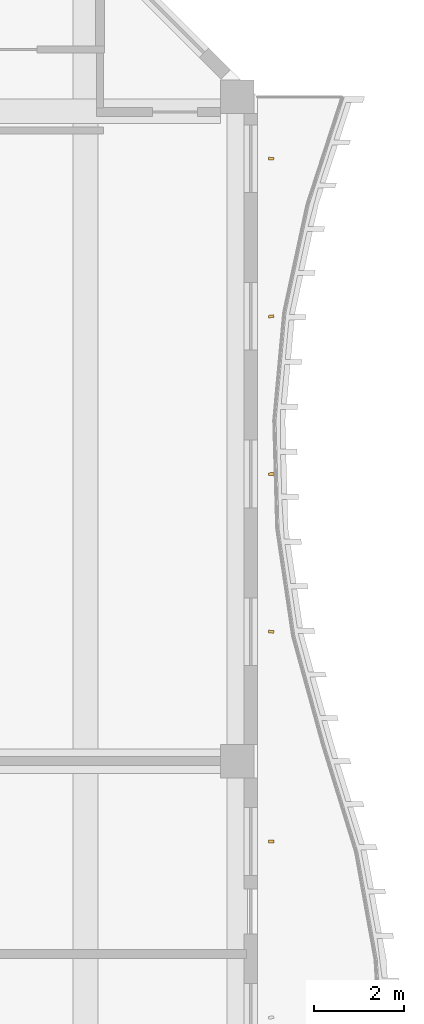
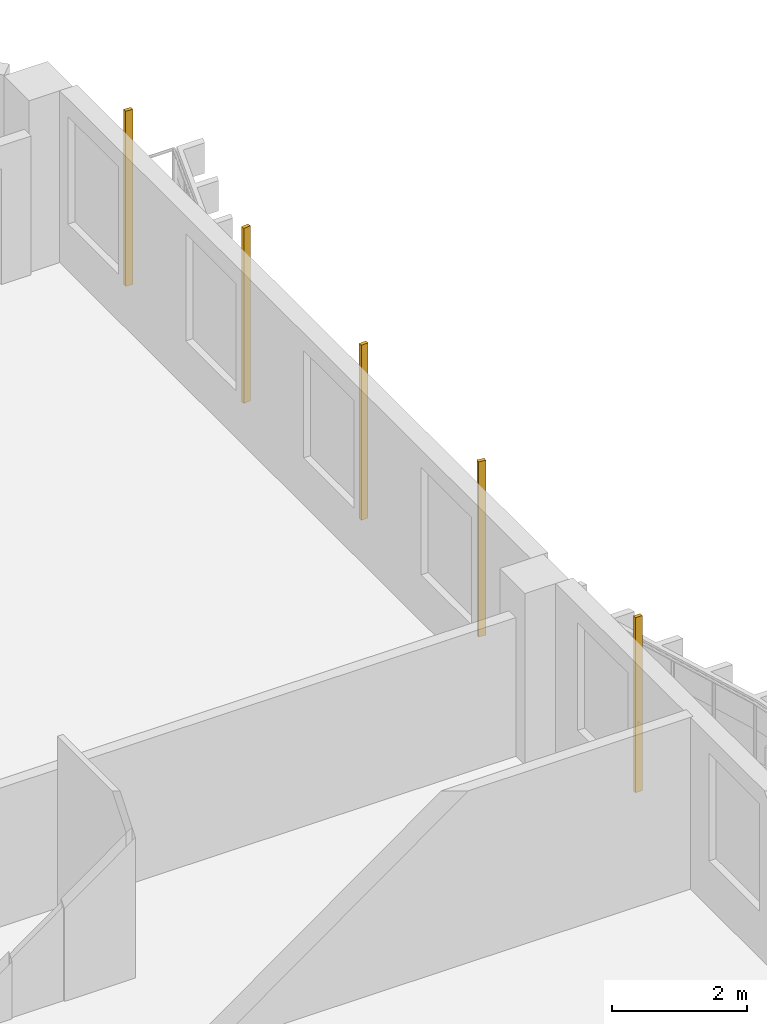
# One storey, part 23 of 23: 5 shading devices.
"""IFC4 building model written with IfcOpenShell, lengths in metres."""

from ifc_helpers import new_model, si_unit, direction, frame, origin, origin_2d, place, context, subcontext, project, spatial, rectangle, extrude, source, transform, mapped, material, material_profile, profile_set, type_object, element, save


model = new_model("IFC4")

# Units and contexts
model_context = context("Model", 3, precision=1e-05, world=origin(), true_north=direction((0.0, 1.0)))
body_context = subcontext(model_context, "Body", "Model", "MODEL_VIEW")
ifc_project = project(units=[si_unit("LENGTHUNIT", "METRE"), si_unit("AREAUNIT", "SQUARE_METRE"), si_unit("VOLUMEUNIT", "CUBIC_METRE"), si_unit("PLANEANGLEUNIT", "RADIAN"), si_unit("MASSUNIT", "GRAM", prefix="KILO")], contexts=[model_context])

# Site, building, storey
site_placement = place(None, origin())
site = spatial("IfcSite", under=ifc_project, at=site_placement, CompositionType="ELEMENT")
building_placement = place(site_placement, origin())
building = spatial("IfcBuilding", under=site, at=building_placement, Name="Kilnfold Tower and Market Hall", CompositionType="ELEMENT")
storey_placement = place(building_placement, frame((0.0, 0.0, 203.300048828125)))
storey = spatial("IfcBuildingStorey", under=building, at=storey_placement, Name="L49", CompositionType="ELEMENT", Elevation=203.300048828125)

# Shading devices
ifc_material = material(Name="Terracotta", Category="masonry")
ifc_material_profile = material_profile(ifc_material, rectangle(XDim=0.06005859375, YDim=0.1201171875, at=origin_2d()), Name="BAG 60x120")
ifc_profile_set = profile_set([ifc_material_profile], Name="Terracotta")
shading_device_type = type_object("IfcShadingDeviceType", Name="BAGUETTE", PredefinedType="USERDEFINED", material=ifc_profile_set)
shared_shape = source(origin(), body_context, "Body", "SweptSolid", [
    extrude(rectangle(XDim=0.06005859375, YDim=0.1201171875, at=origin_2d()), origin(), (0.0, 0.0, 1.0), 3.179931640625),
])
for number, where, z_axis, x_axis, name in (
    (1, (31.550048828125, 6.21875, 0.0), (0.0, 0.0, 1.0), (-0.003724524013, 0.999993063936, 0.0), "Terracotta baguette L49 E"),
    (2, (31.550048828125, 10.875, 0.0), (0.0, 0.0, 1.0), (0.122740653206, 0.992438780001, 0.0), "Terracotta baguette L49 E"),
    (3, (31.550048828125, 14.375, 0.0), (0.0, 0.0, 1.0), (-0.065937788673, 0.99782373595, 0.0), "Terracotta baguette L49 E"),
    (4, (31.550048828125, 17.875, 0.0), (0.0, 0.0, 1.0), (-0.122740653206, 0.992438780001, 0.0), "Terracotta baguette L49 E"),
    (5, (31.550048828125, 21.375, 0.0), (0.0, 0.0, 1.0), (0.065937788673, 0.99782373595, 0.0), "Terracotta baguette L49 E"),
):
    element("IfcShadingDevice", number, at=place(storey_placement, frame(where, z_axis=z_axis, x_axis=x_axis)), inside=storey, type_object=shading_device_type, Name=name, ObjectType="BAGUETTE", PredefinedType="USERDEFINED", context=body_context, shape_type="MappedRepresentation", body=[
        mapped(shared_shape, transform((0.0, 0.0, 0.0))),
    ])

save(model, "model.ifc")
